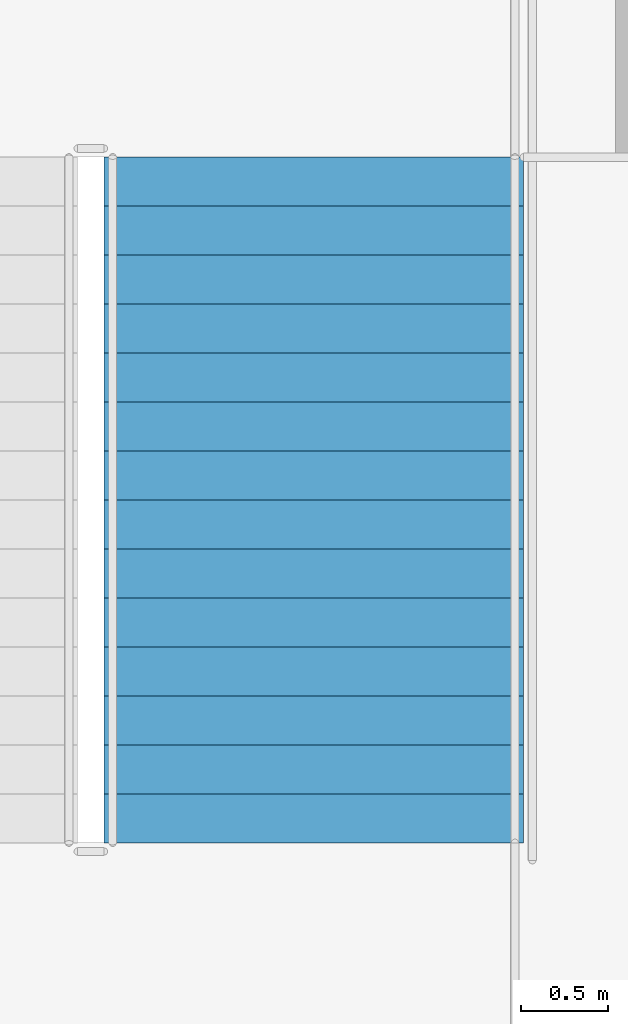
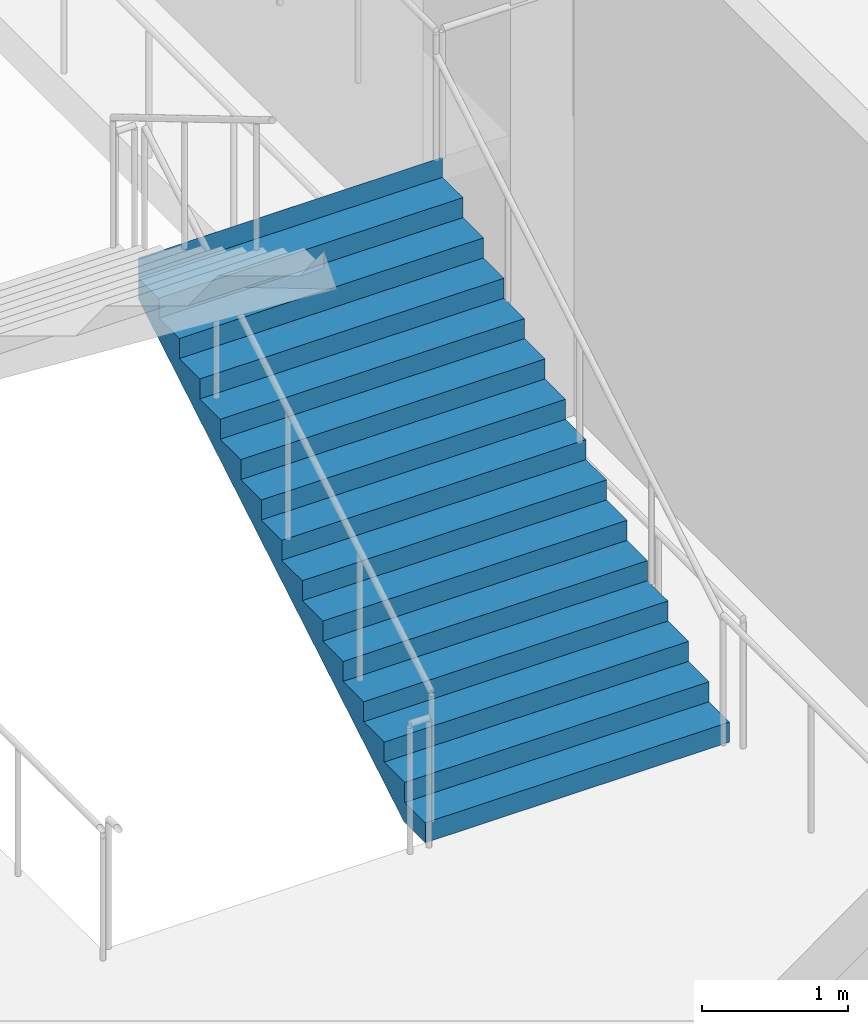
# One storey, part 16 of 22: 1 stair flight, 1 element without a shape of its own.
"""IFC4 building model written with IfcOpenShell, lengths in metres."""

from ifc_helpers import new_model, si_unit, direction, frame, origin, place, context, subcontext, project, spatial, polyline, outline, extrude, material, type_object, element, aggregate, save


model = new_model("IFC4")

# Units and contexts
model_context = context("Model", 3, precision=1e-05, world=origin(), true_north=direction((0.0, 1.0)))
body_context = subcontext(model_context, "Body", "Model", "MODEL_VIEW")
ifc_project = project(units=[si_unit("LENGTHUNIT", "METRE"), si_unit("AREAUNIT", "SQUARE_METRE"), si_unit("VOLUMEUNIT", "CUBIC_METRE"), si_unit("PLANEANGLEUNIT", "RADIAN"), si_unit("MASSUNIT", "GRAM", prefix="KILO")], contexts=[model_context])

# Site, building, storey
site_placement = place(None, origin())
site = spatial("IfcSite", under=ifc_project, at=site_placement, CompositionType="ELEMENT")
building_placement = place(site_placement, origin())
building = spatial("IfcBuilding", under=site, at=building_placement, Name="Tamorin Gate", CompositionType="ELEMENT")
storey_placement = place(building_placement, frame((0.0, 0.0, 29.0)))
storey = spatial("IfcBuildingStorey", under=building, at=storey_placement, Name="L05", CompositionType="ELEMENT", Elevation=29.0)

# Stair, stair flight
ifc_material = material(Name="Reinforced concrete C32/40", Category="concrete")
stair_type = type_object("IfcStairType", Name="Podium stair PS", PredefinedType="HALF_TURN_STAIR", material=ifc_material)
stair_placement = place(storey_placement, origin())
stair = element("IfcStair", 1, at=stair_placement, inside=storey, type_object=stair_type, Name="L05 Podium stair PS2", PredefinedType="HALF_TURN_STAIR")
stair_flight_type = type_object("IfcStairFlightType", Name="Stair flight 2400", PredefinedType="STRAIGHT", material=ifc_material)
stair_flight_placement = place(storey_placement, frame((20.675048828125, 100.0, 0.0), z_axis=(0.0, 0.0, 1.0), x_axis=(0.0, 1.0, 0.0)))
stair_flight = element("IfcStairFlight", 2, at=stair_flight_placement, type_object=stair_flight_type, Name="PS2 flight 1", NumberOfRisers=15, NumberOfTreads=14, PredefinedType="STRAIGHT", RiserHeight=0.166666667, TreadLength=0.28, context=body_context, shape_type="SweptSolid", body=[
    extrude(outline(polyline([(-0.00048828125, 0.0), (-0.00048828125, 0.001708984375), (-0.00048828125, 0.00341796875), (-0.00048828125, 0.0048828125), (-0.00048828125, 0.006591796875), (-0.00048828125, 0.00830078125), (-0.00048828125, 0.010009765625), (-0.00048828125, 0.011474609375), (-0.00048828125, 0.01318359375), (-0.00048828125, 0.014892578125), (-0.00048828125, 0.0166015625), (-0.00048828125, 0.01806640625), (-0.00048828125, 0.019775390625), (-0.00048828125, 0.021484375), (-0.00048828125, 0.023193359375), (-0.00048828125, 0.024658203125), (-0.00048828125, 0.0263671875), (-0.00048828125, 0.028076171875), (-0.00048828125, 0.02978515625), (-0.00048828125, 0.03125), (-0.00048828125, 0.032958984375), (-0.00048828125, 0.03466796875), (-0.00048828125, 0.036376953125), (-0.00048828125, 0.037841796875), (-0.00048828125, 0.03955078125), (-0.00048828125, 0.041259765625), (-0.00048828125, 0.04296875), (-0.00048828125, 0.04443359375), (-0.00048828125, 0.046142578125), (-0.00048828125, 0.0478515625), (-0.00048828125, 0.049560546875), (-0.00048828125, 0.05126953125), (-0.00048828125, 0.052734375), (-0.00048828125, 0.054443359375), (-0.00048828125, 0.05615234375), (-0.00048828125, 0.057861328125), (-0.00048828125, 0.059326171875), (-0.00048828125, 0.06103515625), (-0.00048828125, 0.062744140625), (-0.00048828125, 0.064453125), (-0.00048828125, 0.06591796875), (-0.00048828125, 0.067626953125), (-0.00048828125, 0.0693359375), (-0.00048828125, 0.071044921875), (-0.00048828125, 0.072509765625), (-0.00048828125, 0.07421875), (-0.00048828125, 0.075927734375), (-0.00048828125, 0.07763671875), (-0.00048828125, 0.0791015625), (-0.00048828125, 0.080810546875), (-0.00048828125, 0.08251953125), (-0.00048828125, 0.084228515625), (-0.00048828125, 0.085693359375), (-0.00048828125, 0.08740234375), (-0.00048828125, 0.089111328125), (-0.00048828125, 0.0908203125), (-0.00048828125, 0.092529296875), (-0.00048828125, 0.093994140625), (-0.00048828125, 0.095703125), (-0.00048828125, 0.097412109375), (-0.00048828125, 0.09912109375), (-0.00048828125, 0.1005859375), (-0.00048828125, 0.102294921875), (-0.00048828125, 0.10400390625), (-0.00048828125, 0.105712890625), (-0.00048828125, 0.107177734375), (-0.00048828125, 0.10888671875), (-0.00048828125, 0.110595703125), (-0.00048828125, 0.1123046875), (-0.00048828125, 0.11376953125), (-0.00048828125, 0.115478515625), (-0.00048828125, 0.1171875), (-0.00048828125, 0.118896484375), (-0.00048828125, 0.120361328125), (-0.00048828125, 0.1220703125), (-0.00048828125, 0.123779296875), (-0.00048828125, 0.12548828125), (-0.00048828125, 0.126953125), (-0.00048828125, 0.128662109375), (-0.00048828125, 0.13037109375), (-0.00048828125, 0.132080078125), (-0.00048828125, 0.133544921875), (-0.00048828125, 0.13525390625), (-0.00048828125, 0.136962890625), (-0.00048828125, 0.138671875), (-0.00048828125, 0.140380859375), (-0.00048828125, 0.141845703125), (-0.00048828125, 0.1435546875), (-0.00048828125, 0.145263671875), (-0.00048828125, 0.14697265625), (-0.00048828125, 0.1484375), (-0.00048828125, 0.150146484375), (-0.00048828125, 0.15185546875), (-0.00048828125, 0.153564453125), (-0.00048828125, 0.155029296875), (-0.00048828125, 0.15673828125), (-0.00048828125, 0.158447265625), (-0.00048828125, 0.16015625), (-0.00048828125, 0.16162109375), (-0.00048828125, 0.163330078125), (-0.00048828125, 0.1650390625), (-0.00048828125, 0.166748046875), (0.280029296875, 0.166748046875), (0.280029296875, 0.333251953125), (0.56005859375, 0.333251953125), (0.56005859375, 0.5), (0.840087890625, 0.5), (0.840087890625, 0.666748046875), (1.1201171875, 0.666748046875), (1.1201171875, 0.833251953125), (1.39990234375, 0.833251953125), (1.39990234375, 1.0), (1.679931640625, 1.0), (1.679931640625, 1.166748046875), (1.9599609375, 1.166748046875), (1.9599609375, 1.333251953125), (2.239990234375, 1.333251953125), (2.239990234375, 1.5), (2.52001953125, 1.5), (2.52001953125, 1.666748046875), (2.800048828125, 1.666748046875), (2.800048828125, 1.833251953125), (3.080078125, 1.833251953125), (3.080078125, 2.0), (3.360107421875, 2.0), (3.360107421875, 2.166748046875), (3.639892578125, 2.166748046875), (3.639892578125, 2.333251953125), (3.919921875, 2.333251953125), (3.919921875, 2.5), (3.92041015625, 2.5), (3.92041015625, 2.49658203125), (3.92041015625, 2.4931640625), (3.92041015625, 2.48974609375), (3.92041015625, 2.486572265625), (3.92041015625, 2.483154296875), (3.92041015625, 2.479736328125), (3.92041015625, 2.476318359375), (3.92041015625, 2.472900390625), (3.92041015625, 2.469482421875), (3.92041015625, 2.46630859375), (3.92041015625, 2.462890625), (3.92041015625, 2.45947265625), (3.92041015625, 2.4560546875), (3.92041015625, 2.45263671875), (3.92041015625, 2.44921875), (3.92041015625, 2.446044921875), (3.92041015625, 2.442626953125), (3.92041015625, 2.439208984375), (3.92041015625, 2.435791015625), (3.92041015625, 2.432373046875), (3.92041015625, 2.428955078125), (3.92041015625, 2.42578125), (3.92041015625, 2.42236328125), (3.92041015625, 2.4189453125), (3.92041015625, 2.41552734375), (3.92041015625, 2.412109375), (3.92041015625, 2.40869140625), (3.92041015625, 2.405517578125), (3.92041015625, 2.402099609375), (3.92041015625, 2.398681640625), (3.92041015625, 2.395263671875), (3.92041015625, 2.391845703125), (3.92041015625, 2.388427734375), (3.92041015625, 2.38525390625), (3.92041015625, 2.3818359375), (3.92041015625, 2.37841796875), (3.92041015625, 2.375), (3.92041015625, 2.37158203125), (3.92041015625, 2.3681640625), (3.92041015625, 2.364990234375), (3.92041015625, 2.361572265625), (3.92041015625, 2.358154296875), (3.92041015625, 2.354736328125), (3.92041015625, 2.351318359375), (3.92041015625, 2.347900390625), (3.92041015625, 2.3447265625), (3.92041015625, 2.34130859375), (3.92041015625, 2.337890625), (3.92041015625, 2.33447265625), (3.92041015625, 2.3310546875), (3.92041015625, 2.32763671875), (3.92041015625, 2.324462890625), (3.92041015625, 2.321044921875), (3.92041015625, 2.317626953125), (3.92041015625, 2.314208984375), (3.92041015625, 2.310791015625), (3.92041015625, 2.307373046875), (3.92041015625, 2.30419921875), (3.92041015625, 2.30078125), (3.92041015625, 2.29736328125), (3.92041015625, 2.2939453125), (3.92041015625, 2.29052734375), (3.92041015625, 2.287109375), (3.92041015625, 2.283935546875), (3.92041015625, 2.280517578125), (3.92041015625, 2.277099609375), (3.92041015625, 2.273681640625), (3.92041015625, 2.270263671875), (3.92041015625, 2.266845703125), (3.92041015625, 2.263671875), (3.92041015625, 2.26025390625), (3.92041015625, 2.2568359375), (3.92041015625, 2.25341796875), (3.92041015625, 2.25), (3.92041015625, 2.24658203125), (3.92041015625, 2.243408203125), (3.92041015625, 2.239990234375), (3.92041015625, 2.236572265625), (3.92041015625, 2.233154296875), (3.92041015625, 2.229736328125), (3.92041015625, 2.226318359375), (3.92041015625, 2.22314453125), (3.92041015625, 2.2197265625), (3.92041015625, 2.21630859375), (3.92041015625, 2.212890625), (3.92041015625, 2.20947265625), (3.92041015625, 2.2060546875), (3.92041015625, 2.202880859375), (3.92041015625, 2.199462890625), (3.92041015625, 2.196044921875), (3.92041015625, 2.192626953125), (3.92041015625, 2.189208984375), (3.92041015625, 2.185791015625), (3.92041015625, 2.1826171875), (3.92041015625, 2.17919921875), (3.92041015625, 2.17578125), (3.92041015625, 2.17236328125), (3.92041015625, 2.1689453125), (3.92041015625, 2.16552734375), (3.92041015625, 2.162353515625), (3.92041015625, 2.158935546875), (3.919921875, 2.158935546875), (0.29296875, 0.0), (-0.00048828125, 0.0)])), frame((0.0, 1.199951171875, 0.0), z_axis=(0.0, -1.0, 0.0), x_axis=(1.0, 0.0, 0.0)), (0.0, 0.0, 1.0), 2.39990234375),
])
aggregate(stair, [stair_flight])

save(model, "model.ifc")
